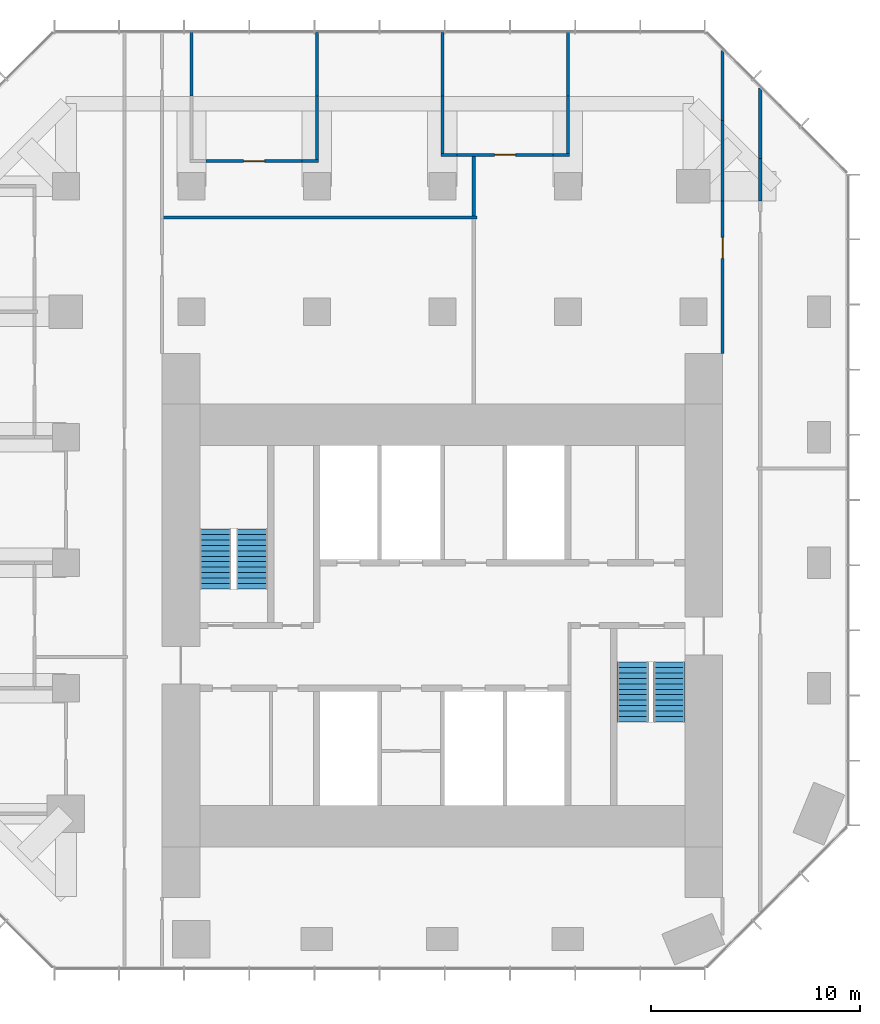
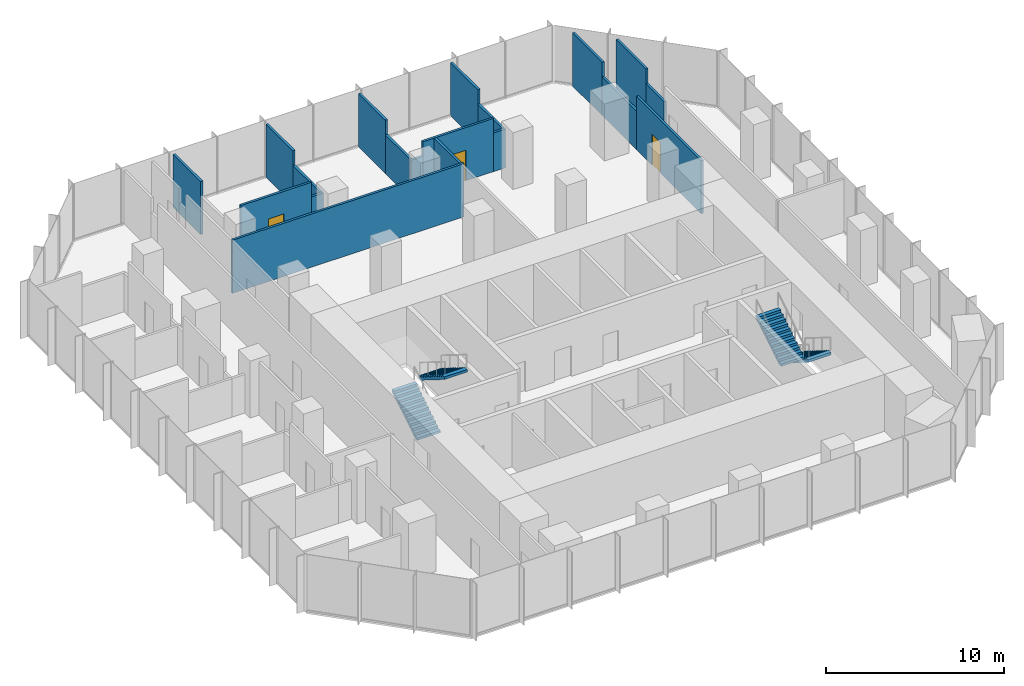
# One storey, part 10 of 11: 19 walls, 4 stair flights, 3 doors, 3 openings, 2 elements without a shape of their own.
"""IFC4 building model written with IfcOpenShell, lengths in metres."""

from ifc_helpers import new_model, si_unit, direction, frame, frame_2d, origin, place, context, subcontext, project, spatial, polyline, rectangle, outline, extrude, material, layer, layer_set, type_object, element, fill, aggregate, save


model = new_model("IFC4")

# Units and contexts
model_context = context("Model", 3, precision=1e-05, world=origin(), true_north=direction((0.0, 1.0)))
body_context = subcontext(model_context, "Body", "Model", "MODEL_VIEW")
ifc_project = project(units=[si_unit("LENGTHUNIT", "METRE"), si_unit("AREAUNIT", "SQUARE_METRE"), si_unit("VOLUMEUNIT", "CUBIC_METRE"), si_unit("PLANEANGLEUNIT", "RADIAN"), si_unit("MASSUNIT", "GRAM", prefix="KILO")], contexts=[model_context])

# Site, building, storey
site_placement = place(None, origin())
site = spatial("IfcSite", under=ifc_project, at=site_placement, CompositionType="ELEMENT")
building_placement = place(site_placement, origin())
building = spatial("IfcBuilding", under=site, at=building_placement, Name="Highveld Stack Headquarters", CompositionType="ELEMENT")
storey_placement = place(building_placement, frame((0.0, 0.0, 196.699951171875)))
storey = spatial("IfcBuildingStorey", under=building, at=storey_placement, Name="L48", CompositionType="ELEMENT", Elevation=196.699951171875)

# Wall, opening, door
ifc_material_1 = material(Name="Gypsum plasterboard on steel studs", Category="steel")
ifc_layer = layer(ifc_material_1, 0.14990234375)
ifc_layer_set = layer_set([ifc_layer], Name="Gypsum plasterboard on steel studs")
wall_type = type_object("IfcWallType", Name="PARTITION 150 PLASTERBOARD", PredefinedType="PARTITIONING", material=ifc_layer_set)
wall_1_placement = place(storey_placement, frame((-5.2900390625, 25.199951171875, 0.0), z_axis=(0.0, 0.0, 1.0), x_axis=(1.0, 0.0, 0.0)))
wall_1 = element("IfcWall", 1, at=wall_1_placement, inside=storey, type_object=wall_type, Name="Partition Tea kitchen L48", PredefinedType="PARTITIONING", context=body_context, shape_type="SweptSolid", body=[
    extrude(rectangle(XDim=4.580078125, YDim=0.14990234375, at=frame_2d((2.2900390625, 0.0))), origin(), (0.0, 0.0, 1.0), 3.650146484375),
])
opening_1_placement = place(wall_1_placement, frame((1.7900390625, 0.0, 0.0)))
opening_1 = element("IfcOpeningElement", 2, at=opening_1_placement, cuts=wall_1, Name="Opening L48-19", PredefinedType="OPENING", context=body_context, shape_type="SweptSolid", body=[
    extrude(rectangle(XDim=1.0, YDim=2.10009765625, at=frame_2d((0.5, 1.050048828125))), frame((0.0, 0.0849609375, 0.0), z_axis=(0.0, -1.0, 0.0), x_axis=(1.0, 0.0, 0.0)), (0.0, 0.0, 1.0), 0.169921875),
])
ifc_material_2 = material(Name="Timber door, oiled ash", Category="wood")
door_type = type_object("IfcDoorType", Name="ROOM DOOR D6 1000x2100", OperationType="SINGLE_SWING_LEFT", PredefinedType="DOOR", material=ifc_material_2)
door_1_placement = place(opening_1_placement, origin())
door_1 = element("IfcDoor", 3, at=door_1_placement, inside=storey, type_object=door_type, Name="Tea kitchen door 1 L48", OperationType="SINGLE_SWING_RIGHT", OverallHeight=2.10009765625, OverallWidth=1.0, PredefinedType="DOOR", context=body_context, shape_type="SweptSolid", body=[
    extrude(rectangle(XDim=1.0, YDim=2.10009765625, at=frame_2d((0.5, 1.050048828125))), frame((0.0, 0.02490234375, 0.0), z_axis=(0.0, -1.0, 0.0), x_axis=(1.0, 0.0, 0.0)), (0.0, 0.0, 1.0), 0.050048828125),
])
fill(opening_1, door_1)

# Walls
for number, where, z_axis, x_axis, name in (
    (4, (-0.7099609375, 25.199951171875, 0.0), (0.0, 0.0, 1.0), (1.0, 0.0, 0.0), "Partition Tea kitchen L48"),
    (5, (5.925048828125, 25.5, 0.0), (0.0, 0.0, 1.0), (1.0, 0.0, 0.0), "Partition Quiet room L48"),
):
    element("IfcWall", number, at=place(storey_placement, frame(where, z_axis=z_axis, x_axis=x_axis)), inside=storey, type_object=wall_type, Name=name, PredefinedType="PARTITIONING", context=body_context, shape_type="SweptSolid", body=[
        extrude(rectangle(XDim=0.784912109375, YDim=0.14990234375, at=frame_2d((0.392578125, 0.0))), origin(), (0.0, 0.0, 1.0), 2.650146484375),
    ])

# Wall, opening, door
wall_2_placement = place(storey_placement, frame((6.7099609375, 25.5, 0.0), z_axis=(0.0, 0.0, 1.0), x_axis=(1.0, 0.0, 0.0)))
wall_2 = element("IfcWall", 6, at=wall_2_placement, inside=storey, type_object=wall_type, Name="Partition Quiet room L48", PredefinedType="PARTITIONING", context=body_context, shape_type="SweptSolid", body=[
    extrude(rectangle(XDim=4.580078125, YDim=0.14990234375, at=frame_2d((2.2900390625, 0.0))), origin(), (0.0, 0.0, 1.0), 3.650146484375),
])
opening_2_placement = place(wall_2_placement, frame((1.7900390625, 0.0, 0.0)))
opening_2 = element("IfcOpeningElement", 7, at=opening_2_placement, cuts=wall_2, Name="Opening L48-20", PredefinedType="OPENING", context=body_context, shape_type="SweptSolid", body=[
    extrude(rectangle(XDim=1.0, YDim=2.10009765625, at=frame_2d((0.5, 1.050048828125))), frame((0.0, 0.0849609375, 0.0), z_axis=(0.0, -1.0, 0.0), x_axis=(1.0, 0.0, 0.0)), (0.0, 0.0, 1.0), 0.169921875),
])
door_2_placement = place(opening_2_placement, origin())
door_2 = element("IfcDoor", 8, at=door_2_placement, inside=storey, type_object=door_type, Name="Quiet room door 1 L48", OperationType="SINGLE_SWING_RIGHT", OverallHeight=2.10009765625, OverallWidth=1.0, PredefinedType="DOOR", context=body_context, shape_type="SweptSolid", body=[
    extrude(rectangle(XDim=1.0, YDim=2.10009765625, at=frame_2d((0.5, 1.050048828125))), frame((0.0, 0.02490234375, 0.0), z_axis=(0.0, -1.0, 0.0), x_axis=(1.0, 0.0, 0.0)), (0.0, 0.0, 1.0), 0.050048828125),
])
fill(opening_2, door_2)

# Walls
wall_3_placement = place(storey_placement, frame((11.2900390625, 25.5, 0.0), z_axis=(0.0, 0.0, 1.0), x_axis=(1.0, 0.0, 0.0)))
element("IfcWall", 9, at=wall_3_placement, inside=storey, type_object=wall_type, Name="Partition Quiet room L48", PredefinedType="PARTITIONING", context=body_context, shape_type="SweptSolid", body=[
    extrude(rectangle(XDim=0.784912109375, YDim=0.14990234375, at=frame_2d((0.392578125, 0.0))), origin(), (0.0, 0.0, 1.0), 2.650146484375),
])
wall_4_placement = place(storey_placement, frame((-6.0, 28.31005859375, 0.0), z_axis=(0.0, 0.0, 1.0), x_axis=(0.0, 1.0, 0.0)))
element("IfcWall", 10, at=wall_4_placement, inside=storey, type_object=wall_type, Name="Partition Tea kitchen L48", PredefinedType="PARTITIONING", context=body_context, shape_type="SweptSolid", body=[
    extrude(rectangle(XDim=3.08984375, YDim=0.14990234375, at=frame_2d((1.544921875, 0.0))), origin(), (0.0, 0.0, 1.0), 3.650146484375),
])
wall_5_placement = place(storey_placement, frame((0.0, 25.27490234375, 0.0), z_axis=(0.0, 0.0, 1.0), x_axis=(0.0, 1.0, 0.0)))
element("IfcWall", 11, at=wall_5_placement, inside=storey, type_object=wall_type, Name="Partition Tea kitchen L48", PredefinedType="PARTITIONING", context=body_context, shape_type="SweptSolid", body=[
    extrude(rectangle(XDim=3.03515625, YDim=0.14990234375, at=frame_2d((1.517578125, 0.0))), origin(), (0.0, 0.0, 1.0), 2.650146484375),
])
wall_6_placement = place(storey_placement, frame((0.0, 28.31005859375, 0.0), z_axis=(0.0, 0.0, 1.0), x_axis=(0.0, 1.0, 0.0)))
element("IfcWall", 12, at=wall_6_placement, inside=storey, type_object=wall_type, Name="Partition Tea kitchen L48", PredefinedType="PARTITIONING", context=body_context, shape_type="SweptSolid", body=[
    extrude(rectangle(XDim=3.0400390625, YDim=0.14990234375, at=frame_2d((1.52001953125, 0.0))), origin(), (0.0, 0.0, 1.0), 3.650146484375),
])
wall_7_placement = place(storey_placement, frame((6.0, 25.574951171875, 0.0), z_axis=(0.0, 0.0, 1.0), x_axis=(0.0, 1.0, 0.0)))
element("IfcWall", 13, at=wall_7_placement, inside=storey, type_object=wall_type, Name="Partition Quiet room L48", PredefinedType="PARTITIONING", context=body_context, shape_type="SweptSolid", body=[
    extrude(rectangle(XDim=2.735107421875, YDim=0.14990234375, at=frame_2d((1.36767578125, 0.0))), origin(), (0.0, 0.0, 1.0), 2.650146484375),
])
wall_8_placement = place(storey_placement, frame((6.0, 28.31005859375, 0.0), z_axis=(0.0, 0.0, 1.0), x_axis=(0.0, 1.0, 0.0)))
element("IfcWall", 14, at=wall_8_placement, inside=storey, type_object=wall_type, Name="Partition Quiet room L48", PredefinedType="PARTITIONING", context=body_context, shape_type="SweptSolid", body=[
    extrude(rectangle(XDim=3.0400390625, YDim=0.14990234375, at=frame_2d((1.52001953125, 0.0))), origin(), (0.0, 0.0, 1.0), 3.650146484375),
])
wall_9_placement = place(storey_placement, frame((12.0, 25.574951171875, 0.0), z_axis=(0.0, 0.0, 1.0), x_axis=(0.0, 1.0, 0.0)))
element("IfcWall", 15, at=wall_9_placement, inside=storey, type_object=wall_type, Name="Partition Quiet room L48", PredefinedType="PARTITIONING", context=body_context, shape_type="SweptSolid", body=[
    extrude(rectangle(XDim=2.735107421875, YDim=0.14990234375, at=frame_2d((1.36767578125, 0.0))), origin(), (0.0, 0.0, 1.0), 2.650146484375),
])
wall_10_placement = place(storey_placement, frame((12.0, 28.31005859375, 0.0), z_axis=(0.0, 0.0, 1.0), x_axis=(0.0, 1.0, 0.0)))
element("IfcWall", 16, at=wall_10_placement, inside=storey, type_object=wall_type, Name="Partition Quiet room L48", PredefinedType="PARTITIONING", context=body_context, shape_type="SweptSolid", body=[
    extrude(rectangle(XDim=3.08984375, YDim=0.14990234375, at=frame_2d((1.544921875, 0.0))), origin(), (0.0, 0.0, 1.0), 3.650146484375),
])
wall_11_placement = place(storey_placement, frame((-7.39990234375, 22.5, 0.0), z_axis=(0.0, 0.0, 1.0), x_axis=(1.0, 0.0, 0.0)))
element("IfcWall", 17, at=wall_11_placement, inside=storey, type_object=wall_type, Name="Partition office neighbourhood L48", PredefinedType="PARTITIONING", context=body_context, shape_type="SweptSolid", body=[
    extrude(rectangle(XDim=15.0498046875, YDim=0.14990234375, at=frame_2d((7.52490234375, 0.0))), origin(), (0.0, 0.0, 1.0), 3.650146484375),
])
wall_12_placement = place(storey_placement, frame((7.5, 22.574951171875, 0.0), z_axis=(0.0, 0.0, 1.0), x_axis=(0.0, 1.0, 0.0)))
element("IfcWall", 18, at=wall_12_placement, inside=storey, type_object=wall_type, Name="Partition office neighbourhood L48", PredefinedType="PARTITIONING", context=body_context, shape_type="SweptSolid", body=[
    extrude(rectangle(XDim=2.85009765625, YDim=0.14990234375, at=frame_2d((1.425048828125, 0.0))), origin(), (0.0, 0.0, 1.0), 3.650146484375),
])

# Wall, opening, door
wall_13_placement = place(storey_placement, frame((19.39990234375, 16.0, 0.0), z_axis=(0.0, 0.0, 1.0), x_axis=(0.0, 1.0, 0.0)))
wall_13 = element("IfcWall", 19, at=wall_13_placement, inside=storey, type_object=wall_type, Name="Partition office neighbourhood L48", PredefinedType="PARTITIONING", context=body_context, shape_type="SweptSolid", body=[
    extrude(rectangle(XDim=7.2900390625, YDim=0.14990234375, at=frame_2d((3.64501953125, 0.0))), origin(), (0.0, 0.0, 1.0), 3.650146484375),
])
opening_3_placement = place(wall_13_placement, frame((4.553955078125, 0.0, 0.0)))
opening_3 = element("IfcOpeningElement", 20, at=opening_3_placement, cuts=wall_13, Name="Opening L48-26", PredefinedType="OPENING", context=body_context, shape_type="SweptSolid", body=[
    extrude(rectangle(XDim=1.0, YDim=2.10009765625, at=frame_2d((0.5, 1.050048828125))), frame((0.0, 0.0849609375, 0.0), z_axis=(0.0, -1.0, 0.0), x_axis=(1.0, 0.0, 0.0)), (0.0, 0.0, 1.0), 0.169921875),
])
door_3_placement = place(opening_3_placement, origin())
door_3 = element("IfcDoor", 21, at=door_3_placement, inside=storey, type_object=door_type, Name="Office neighbourhood door L48", OperationType="SINGLE_SWING_RIGHT", OverallHeight=2.10009765625, OverallWidth=1.0, PredefinedType="DOOR", context=body_context, shape_type="SweptSolid", body=[
    extrude(rectangle(XDim=1.0, YDim=2.10009765625, at=frame_2d((0.5, 1.050048828125))), frame((0.0, 0.02490234375, 0.0), z_axis=(0.0, -1.0, 0.0), x_axis=(1.0, 0.0, 0.0)), (0.0, 0.0, 1.0), 0.050048828125),
])
fill(opening_3, door_3)

# Walls
wall_14_placement = place(storey_placement, frame((19.39990234375, 23.2900390625, 0.0), z_axis=(0.0, 0.0, 1.0), x_axis=(0.0, 1.0, 0.0)))
element("IfcWall", 22, at=wall_14_placement, inside=storey, type_object=wall_type, Name="Partition office neighbourhood L48", PredefinedType="PARTITIONING", context=body_context, shape_type="SweptSolid", body=[
    extrude(rectangle(XDim=3.849853515625, YDim=0.14990234375, at=frame_2d((1.9248046875, 0.0))), origin(), (0.0, 0.0, 1.0), 2.650146484375),
])
wall_15_placement = place(storey_placement, frame((19.39990234375, 27.139892578125, 0.0), z_axis=(0.0, 0.0, 1.0), x_axis=(0.0, 1.0, 0.0)))
element("IfcWall", 23, at=wall_15_placement, inside=storey, type_object=wall_type, Name="Partition office neighbourhood L48", PredefinedType="PARTITIONING", context=body_context, shape_type="SweptSolid", body=[
    extrude(rectangle(XDim=3.34912109375, YDim=0.14990234375, at=frame_2d((1.674560546875, 0.0))), origin(), (0.0, 0.0, 1.0), 3.650146484375),
])
wall_16_placement = place(storey_placement, frame((21.199951171875, 23.2900390625, 0.0), z_axis=(0.0, 0.0, 1.0), x_axis=(0.0, 1.0, 0.0)))
element("IfcWall", 24, at=wall_16_placement, inside=storey, type_object=wall_type, Name="Partition office neighbourhood L48", PredefinedType="PARTITIONING", context=body_context, shape_type="SweptSolid", body=[
    extrude(rectangle(XDim=2.050048828125, YDim=0.14990234375, at=frame_2d((1.02490234375, 0.0))), origin(), (0.0, 0.0, 1.0), 2.650146484375),
])
wall_17_placement = place(storey_placement, frame((21.199951171875, 25.340087890625, 0.0), z_axis=(0.0, 0.0, 1.0), x_axis=(0.0, 1.0, 0.0)))
element("IfcWall", 25, at=wall_17_placement, inside=storey, type_object=wall_type, Name="Partition office neighbourhood L48", PredefinedType="PARTITIONING", context=body_context, shape_type="SweptSolid", body=[
    extrude(rectangle(XDim=3.348876953125, YDim=0.14990234375, at=frame_2d((1.67431640625, 0.0))), origin(), (0.0, 0.0, 1.0), 3.650146484375),
])

# Stair, stair flights
ifc_material_3 = material(Name="Concrete C40/50, precast", Category="concrete")
stair_type_1 = type_object("IfcStairType", Name="STAIR S1 HALF TURN 1500", PredefinedType="HALF_TURN_STAIR", material=ifc_material_3)
stair_1_placement = place(storey_placement, origin())
stair_1 = element("IfcStair", 26, at=stair_1_placement, inside=storey, type_object=stair_type_1, Name="Stair S1 L48", PredefinedType="HALF_TURN_STAIR")
ifc_material_4 = material(Name="Concrete C40/50, precast", Category="concrete")
stair_flight_type = type_object("IfcStairFlightType", Name="STAIR FLIGHT 1500 PRECAST", PredefinedType="STRAIGHT", material=ifc_material_4)
stair_flight_1_placement = place(storey_placement, frame((-4.85009765625, 4.75, 0.0), z_axis=(0.0, 0.0, 1.0), x_axis=(0.0, 1.0, 0.0)))
stair_flight_1 = element("IfcStairFlight", 27, at=stair_flight_1_placement, type_object=stair_flight_type, Name="S1 flight 1", NumberOfRisers=12, NumberOfTreads=11, PredefinedType="STRAIGHT", RiserHeight=0.1625, TreadLength=0.26, context=body_context, shape_type="SweptSolid", body=[
    extrude(outline(polyline([(0.0, 0.0), (0.0, 0.16259765625), (0.260009765625, 0.16259765625), (0.260009765625, 0.324951171875), (0.52001953125, 0.324951171875), (0.52001953125, 0.487548828125), (0.780029296875, 0.487548828125), (0.780029296875, 0.64990234375), (1.0400390625, 0.64990234375), (1.0400390625, 0.8125), (1.300048828125, 0.8125), (1.300048828125, 0.97509765625), (1.56005859375, 0.97509765625), (1.56005859375, 1.137451171875), (1.820068359375, 1.137451171875), (1.820068359375, 1.300048828125), (2.080078125, 1.300048828125), (2.080078125, 1.46240234375), (2.340087890625, 1.46240234375), (2.340087890625, 1.625), (2.60009765625, 1.625), (2.60009765625, 1.78759765625), (2.860107421875, 1.78759765625), (2.860107421875, 1.949951171875), (2.860107421875, 1.61083984375), (0.28271484375, 0.0), (0.0, 0.0)])), frame((0.0, 0.75, 0.0), z_axis=(0.0, -1.0, 0.0), x_axis=(1.0, 0.0, 0.0)), (0.0, 0.0, 1.0), 1.5),
])
stair_flight_2_placement = place(storey_placement, frame((-3.10009765625, 7.610107421875, 1.949951171875), z_axis=(0.0, 0.0, 1.0), x_axis=(0.0, -1.0, 0.0)))
stair_flight_2 = element("IfcStairFlight", 28, at=stair_flight_2_placement, type_object=stair_flight_type, Name="S1 flight 2", NumberOfRisers=12, NumberOfTreads=11, PredefinedType="STRAIGHT", RiserHeight=0.1625, TreadLength=0.26, context=body_context, shape_type="SweptSolid", body=[
    extrude(outline(polyline([(0.0, 0.0), (0.0, 0.16259765625), (0.260009765625, 0.16259765625), (0.260009765625, 0.324951171875), (0.52001953125, 0.324951171875), (0.52001953125, 0.487548828125), (0.780029296875, 0.487548828125), (0.780029296875, 0.64990234375), (1.0400390625, 0.64990234375), (1.0400390625, 0.8125), (1.300048828125, 0.8125), (1.300048828125, 0.97509765625), (1.56005859375, 0.97509765625), (1.56005859375, 1.137451171875), (1.820068359375, 1.137451171875), (1.820068359375, 1.300048828125), (2.080078125, 1.300048828125), (2.080078125, 1.46240234375), (2.340087890625, 1.46240234375), (2.340087890625, 1.625), (2.60009765625, 1.625), (2.60009765625, 1.78759765625), (2.860107421875, 1.78759765625), (2.860107421875, 1.949951171875), (2.860107421875, 1.61083984375), (0.28271484375, 0.0), (0.0, 0.0)])), frame((0.0, 0.75, 0.0), z_axis=(0.0, -1.0, 0.0), x_axis=(1.0, 0.0, 0.0)), (0.0, 0.0, 1.0), 1.5),
])
aggregate(stair_1, [stair_flight_1, stair_flight_2])

ifc_material_5 = material(Name="Concrete C40/50, precast", Category="concrete")
stair_type_2 = type_object("IfcStairType", Name="STAIR S2 HALF TURN 1500", PredefinedType="HALF_TURN_STAIR", material=ifc_material_5)
stair_2_placement = place(storey_placement, origin())
stair_2 = element("IfcStair", 29, at=stair_2_placement, inside=storey, type_object=stair_type_2, Name="Stair S2 L48", PredefinedType="HALF_TURN_STAIR")
stair_flight_3_placement = place(storey_placement, frame((16.85009765625, 1.25, 0.0), z_axis=(0.0, 0.0, 1.0), x_axis=(0.0, -1.0, 0.0)))
stair_flight_3 = element("IfcStairFlight", 30, at=stair_flight_3_placement, type_object=stair_flight_type, Name="S2 flight 1", NumberOfRisers=12, NumberOfTreads=11, PredefinedType="STRAIGHT", RiserHeight=0.1625, TreadLength=0.26, context=body_context, shape_type="SweptSolid", body=[
    extrude(outline(polyline([(0.0, 0.0), (0.0, 0.16259765625), (0.260009765625, 0.16259765625), (0.260009765625, 0.324951171875), (0.52001953125, 0.324951171875), (0.52001953125, 0.487548828125), (0.780029296875, 0.487548828125), (0.780029296875, 0.64990234375), (1.0400390625, 0.64990234375), (1.0400390625, 0.8125), (1.300048828125, 0.8125), (1.300048828125, 0.97509765625), (1.56005859375, 0.97509765625), (1.56005859375, 1.137451171875), (1.820068359375, 1.137451171875), (1.820068359375, 1.300048828125), (2.080078125, 1.300048828125), (2.080078125, 1.46240234375), (2.340087890625, 1.46240234375), (2.340087890625, 1.625), (2.60009765625, 1.625), (2.60009765625, 1.78759765625), (2.860107421875, 1.78759765625), (2.860107421875, 1.949951171875), (2.860107421875, 1.61083984375), (0.28271484375, 0.0), (0.0, 0.0)])), frame((0.0, 0.75, 0.0), z_axis=(0.0, -1.0, 0.0), x_axis=(1.0, 0.0, 0.0)), (0.0, 0.0, 1.0), 1.5),
])
stair_flight_4_placement = place(storey_placement, frame((15.10009765625, -1.610107421875, 1.949951171875), z_axis=(0.0, 0.0, 1.0), x_axis=(0.0, 1.0, 0.0)))
stair_flight_4 = element("IfcStairFlight", 31, at=stair_flight_4_placement, type_object=stair_flight_type, Name="S2 flight 2", NumberOfRisers=12, NumberOfTreads=11, PredefinedType="STRAIGHT", RiserHeight=0.1625, TreadLength=0.26, context=body_context, shape_type="SweptSolid", body=[
    extrude(outline(polyline([(0.0, 0.0), (0.0, 0.16259765625), (0.260009765625, 0.16259765625), (0.260009765625, 0.324951171875), (0.52001953125, 0.324951171875), (0.52001953125, 0.487548828125), (0.780029296875, 0.487548828125), (0.780029296875, 0.64990234375), (1.0400390625, 0.64990234375), (1.0400390625, 0.8125), (1.300048828125, 0.8125), (1.300048828125, 0.97509765625), (1.56005859375, 0.97509765625), (1.56005859375, 1.137451171875), (1.820068359375, 1.137451171875), (1.820068359375, 1.300048828125), (2.080078125, 1.300048828125), (2.080078125, 1.46240234375), (2.340087890625, 1.46240234375), (2.340087890625, 1.625), (2.60009765625, 1.625), (2.60009765625, 1.78759765625), (2.860107421875, 1.78759765625), (2.860107421875, 1.949951171875), (2.860107421875, 1.61083984375), (0.28271484375, 0.0), (0.0, 0.0)])), frame((0.0, 0.75, 0.0), z_axis=(0.0, -1.0, 0.0), x_axis=(1.0, 0.0, 0.0)), (0.0, 0.0, 1.0), 1.5),
])
aggregate(stair_2, [stair_flight_3, stair_flight_4])

save(model, "model.ifc")
